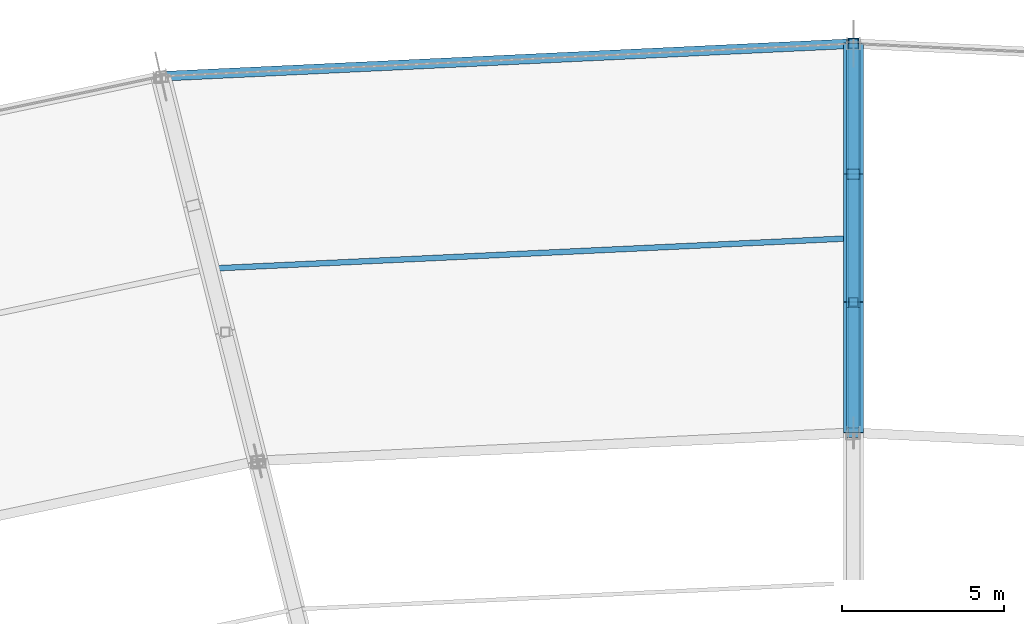
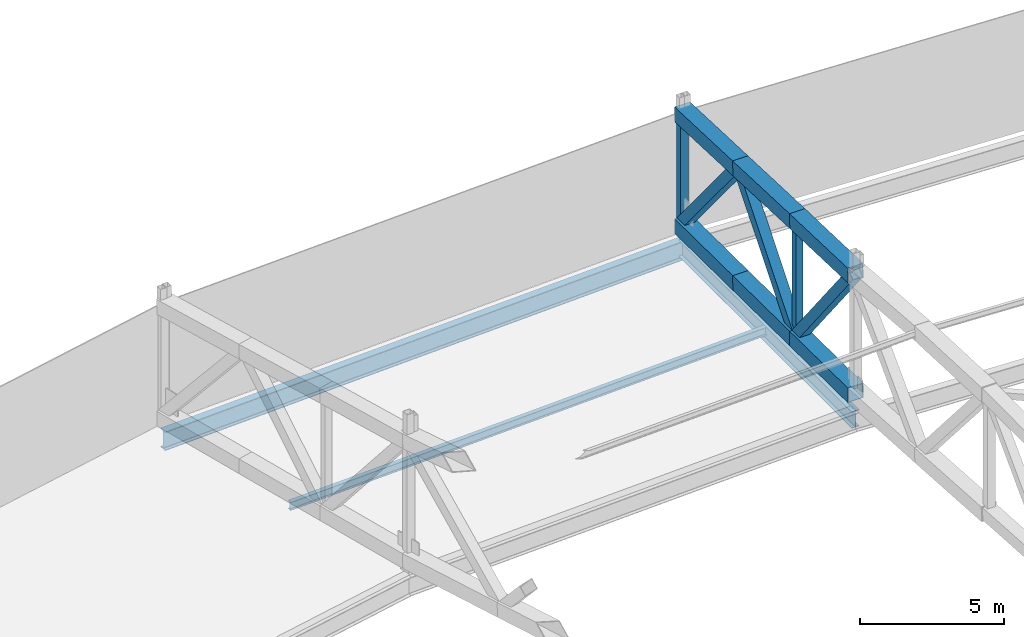
# One storey, part 82 of 162: 11 members, 3 beams.
"""IFC4 building model written with IfcOpenShell, lengths in metres."""

from ifc_helpers import new_model, si_unit, direction, frame, origin, origin_2d, place, context, subcontext, project, spatial, hollow_rectangle, i_section, extrude, material, material_profile, profile_set, type_object, element, save


model = new_model("IFC4")

# Units and contexts
model_context = context("Model", 3, precision=1e-05, world=origin(), true_north=direction((0.0, 1.0)))
body_context = subcontext(model_context, "Body", "Model", "MODEL_VIEW")
ifc_project = project(units=[si_unit("LENGTHUNIT", "METRE"), si_unit("AREAUNIT", "SQUARE_METRE"), si_unit("VOLUMEUNIT", "CUBIC_METRE"), si_unit("PLANEANGLEUNIT", "RADIAN"), si_unit("MASSUNIT", "GRAM", prefix="KILO")], contexts=[model_context])

# Site, building, storey
site_placement = place(None, origin())
site = spatial("IfcSite", under=ifc_project, at=site_placement, CompositionType="ELEMENT")
building_placement = place(site_placement, origin())
building = spatial("IfcBuilding", under=site, at=building_placement, Name="Kazemori Nagisa Stadium", CompositionType="ELEMENT")
storey_placement = place(building_placement, frame((0.0, 0.0, 36.719970703125)))
storey = spatial("IfcBuildingStorey", under=building, at=storey_placement, Name="RF", CompositionType="ELEMENT", Elevation=36.719970703125)

# Beams
ifc_material_1 = material(Name="Steel SN490B", Category="steel")
ifc_material_profile_1 = material_profile(ifc_material_1, i_section(OverallWidth=0.300048828125, OverallDepth=0.699951171875, WebThickness=0.012939453125, FlangeThickness=0.02392578125, FilletRadius=0.01806640625, at=origin_2d()), Name="H-700x300x13x24")
ifc_profile_set_1 = profile_set([ifc_material_profile_1], Name="Steel SN490B")
beam_type_1 = type_object("IfcBeamType", Name="Beam_BG-H700", PredefinedType="BEAM", material=ifc_profile_set_1)
beam_1_placement = place(storey_placement, frame((123.0, 175.9599609375, -0.6298828125), z_axis=(0.0, 1.0, 0.0), x_axis=(-1.0, 0.0, 0.0)))
element("IfcBeam", 1, at=beam_1_placement, inside=storey, type_object=beam_type_1, Name="Radial girder BG-H700 RF R2-R3-08", PredefinedType="BEAM", context=body_context, shape_type="SweptSolid", body=[
    extrude(i_section(OverallWidth=0.300048828125, OverallDepth=0.699951171875, WebThickness=0.012939453125, FlangeThickness=0.02392578125, FilletRadius=0.01806640625, at=origin_2d()), origin(), (0.0, 0.0, 1.0), 12.0400390625),
])
ifc_material_profile_2 = material_profile(ifc_material_1, i_section(OverallWidth=0.300048828125, OverallDepth=0.800048828125, WebThickness=0.013916015625, FlangeThickness=0.02587890625, FilletRadius=0.01806640625, at=origin_2d()), Name="H-800x300x14x26")
ifc_profile_set_2 = profile_set([ifc_material_profile_2], Name="Steel SN490B")
beam_type_2 = type_object("IfcBeamType", Name="Beam_BG-H800", PredefinedType="BEAM", material=ifc_profile_set_2)
beam_2_placement = place(storey_placement, frame((123.0, 188.0, -0.679931640625), z_axis=(-0.998883994571, -0.047230979144, 0.0), x_axis=(0.047230979144, -0.998883994571, 0.0)))
element("IfcBeam", 2, at=beam_2_placement, inside=storey, type_object=beam_type_2, Name="Roof compression ring beam BG-H800 R3-08", PredefinedType="BEAM", context=body_context, shape_type="SweptSolid", body=[
    extrude(i_section(OverallWidth=0.300048828125, OverallDepth=0.800048828125, WebThickness=0.013916015625, FlangeThickness=0.02587890625, FilletRadius=0.01806640625, at=origin_2d()), origin(), (0.0, 0.0, 1.0), 21.45166015625),
])
ifc_material_profile_3 = material_profile(ifc_material_1, i_section(OverallWidth=0.175048828125, OverallDepth=0.35009765625, WebThickness=0.007080078125, FlangeThickness=0.010986328125, FilletRadius=0.012939453125, at=origin_2d()), Name="H-350x175x7x11")
ifc_profile_set_3 = profile_set([ifc_material_profile_3], Name="Steel SN490B")
beam_type_3 = type_object("IfcBeamType", Name="Beam_BJ-H350", PredefinedType="JOIST", material=ifc_profile_set_3)
beam_3_placement = place(storey_placement, frame((122.855224609375, 181.97314453125, -0.455078125), z_axis=(-0.998884234836, -0.047225897525, 0.0), x_axis=(0.047225897525, -0.998884234836, 0.0)))
element("IfcBeam", 3, at=beam_3_placement, inside=storey, type_object=beam_type_3, Name="Outer bay joist BJ-H350 RF B08", PredefinedType="JOIST", context=body_context, shape_type="SweptSolid", body=[
    extrude(i_section(OverallWidth=0.175048828125, OverallDepth=0.35009765625, WebThickness=0.007080078125, FlangeThickness=0.010986328125, FilletRadius=0.012939453125, at=origin_2d()), origin(), (0.0, 0.0, 1.0), 19.66015625),
])

# Members
ifc_material_2 = material(Name="Steel STKR490", Category="steel")
ifc_material_profile_4 = material_profile(ifc_material_2, hollow_rectangle(XDim=0.419921875, YDim=0.419921875, WallThickness=0.01611328125, at=origin_2d()), Name="SHS-420x420x16")
ifc_profile_set_4 = profile_set([ifc_material_profile_4], Name="Steel STKR490")
member_type_1 = type_object("IfcMemberType", Name="Member_TB-SHS420", PredefinedType="BRACE", material=ifc_profile_set_4)
member_1_placement = place(storey_placement, frame((123.0, 188.0, 0.360107421875), z_axis=(0.0, -0.636342931548, 0.771406295975), x_axis=(1.0, 0.0, 0.0)))
element("IfcMember", 4, at=member_1_placement, inside=storey, type_object=member_type_1, Name="Roof space truss diagonal RT-08-1", PredefinedType="BRACE", context=body_context, shape_type="SweptSolid", body=[
    extrude(hollow_rectangle(XDim=0.419921875, YDim=0.419921875, WallThickness=0.01611328125, at=origin_2d()), origin(), (0.0, 0.0, 1.0), 6.351806640625),
])
member_2_placement = place(storey_placement, frame((123.0, 183.9580078125, 5.260009765625), z_axis=(0.0, -0.634424601348, -0.772984750952), x_axis=(1.0, 0.0, 0.0)))
element("IfcMember", 5, at=member_2_placement, inside=storey, type_object=member_type_1, Name="Roof space truss diagonal RT-08-2", PredefinedType="BRACE", context=body_context, shape_type="SweptSolid", body=[
    extrude(hollow_rectangle(XDim=0.419921875, YDim=0.419921875, WallThickness=0.01611328125, at=origin_2d()), origin(), (0.0, 0.0, 1.0), 6.235595703125),
])
member_3_placement = place(storey_placement, frame((123.0, 180.001953125, 0.43994140625), z_axis=(0.0, -0.619624872853, 0.784898093348), x_axis=(1.0, 0.0, 0.0)))
element("IfcMember", 6, at=member_3_placement, inside=storey, type_object=member_type_1, Name="Roof space truss diagonal RT-08-3", PredefinedType="BRACE", context=body_context, shape_type="SweptSolid", body=[
    extrude(hollow_rectangle(XDim=0.419921875, YDim=0.419921875, WallThickness=0.01611328125, at=origin_2d()), origin(), (0.0, 0.0, 1.0), 6.523193359375),
])
ifc_material_profile_5 = material_profile(ifc_material_2, hollow_rectangle(XDim=0.6201171875, YDim=0.6201171875, WallThickness=0.02197265625, at=origin_2d()), Name="SHS-620x620x22")
ifc_profile_set_5 = profile_set([ifc_material_profile_5], Name="Steel STKR490")
member_type_2 = type_object("IfcMemberType", Name="Member_TC-SHS620", PredefinedType="CHORD", material=ifc_profile_set_5)
member_4_placement = place(storey_placement, frame((123.0, 188.0, 5.10009765625), z_axis=(0.0, -0.999218314036, 0.039531770699), x_axis=(1.0, 0.0, 0.0)))
element("IfcMember", 7, at=member_4_placement, inside=storey, type_object=member_type_2, Name="Roof space truss top chord RT-08-1", PredefinedType="CHORD", context=body_context, shape_type="SweptSolid", body=[
    extrude(hollow_rectangle(XDim=0.6201171875, YDim=0.6201171875, WallThickness=0.02197265625, at=origin_2d()), origin(), (0.0, 0.0, 1.0), 4.045166015625),
])
member_5_placement = place(storey_placement, frame((123.0, 188.0, 0.360107421875), z_axis=(0.0, -0.999950941428, 0.009905288378), x_axis=(1.0, 0.0, 0.0)))
element("IfcMember", 8, at=member_5_placement, inside=storey, type_object=member_type_2, Name="Roof space truss bottom chord RT-08-1", PredefinedType="CHORD", context=body_context, shape_type="SweptSolid", body=[
    extrude(hollow_rectangle(XDim=0.6201171875, YDim=0.6201171875, WallThickness=0.02197265625, at=origin_2d()), origin(), (0.0, 0.0, 1.0), 4.042236328125),
])
member_6_placement = place(storey_placement, frame((123.0, 183.9580078125, 5.260009765625), z_axis=(0.0, -0.999184025996, 0.040389134598), x_axis=(1.0, 0.0, 0.0)))
element("IfcMember", 9, at=member_6_placement, inside=storey, type_object=member_type_2, Name="Roof space truss top chord RT-08-2", PredefinedType="CHORD", context=body_context, shape_type="SweptSolid", body=[
    extrude(hollow_rectangle(XDim=0.6201171875, YDim=0.6201171875, WallThickness=0.02197265625, at=origin_2d()), origin(), (0.0, 0.0, 1.0), 3.959228515625),
])
member_7_placement = place(storey_placement, frame((123.0, 183.9580078125, 0.400146484375), z_axis=(0.0, -0.999949409638, 0.01005873573), x_axis=(1.0, 0.0, 0.0)))
element("IfcMember", 10, at=member_7_placement, inside=storey, type_object=member_type_2, Name="Roof space truss bottom chord RT-08-2", PredefinedType="CHORD", context=body_context, shape_type="SweptSolid", body=[
    extrude(hollow_rectangle(XDim=0.6201171875, YDim=0.6201171875, WallThickness=0.02197265625, at=origin_2d()), origin(), (0.0, 0.0, 1.0), 3.956298828125),
])
member_8_placement = place(storey_placement, frame((123.0, 180.001953125, 5.419921875), z_axis=(0.0, -0.999399529543, 0.034649391759), x_axis=(1.0, 0.0, 0.0)))
element("IfcMember", 11, at=member_8_placement, inside=storey, type_object=member_type_2, Name="Roof space truss top chord RT-08-3", PredefinedType="CHORD", context=body_context, shape_type="SweptSolid", body=[
    extrude(hollow_rectangle(XDim=0.6201171875, YDim=0.6201171875, WallThickness=0.02197265625, at=origin_2d()), origin(), (0.0, 0.0, 1.0), 4.04443359375),
])
member_9_placement = place(storey_placement, frame((123.0, 180.001953125, 0.43994140625), z_axis=(0.0, -0.999950941428, 0.009905288378), x_axis=(1.0, 0.0, 0.0)))
element("IfcMember", 12, at=member_9_placement, inside=storey, type_object=member_type_2, Name="Roof space truss bottom chord RT-08-3", PredefinedType="CHORD", context=body_context, shape_type="SweptSolid", body=[
    extrude(hollow_rectangle(XDim=0.6201171875, YDim=0.6201171875, WallThickness=0.02197265625, at=origin_2d()), origin(), (0.0, 0.0, 1.0), 4.042236328125),
])
ifc_material_profile_6 = material_profile(ifc_material_2, hollow_rectangle(XDim=0.280029296875, YDim=0.280029296875, WallThickness=0.010009765625, at=origin_2d()), Name="SHS-280x280x10")
ifc_profile_set_6 = profile_set([ifc_material_profile_6], Name="Steel STKR490")
member_type_3 = type_object("IfcMemberType", Name="Member_TS-SHS280", PredefinedType="STRUT", material=ifc_profile_set_6)
member_10_placement = place(storey_placement, frame((123.0, 180.001953125, 0.43994140625), z_axis=(0.0, 0.0, 1.0), x_axis=(1.0, 0.0, 0.0)))
element("IfcMember", 13, at=member_10_placement, inside=storey, type_object=member_type_3, Name="Roof space truss strut RT-08-3", PredefinedType="STRUT", context=body_context, shape_type="SweptSolid", body=[
    extrude(hollow_rectangle(XDim=0.280029296875, YDim=0.280029296875, WallThickness=0.010009765625, at=origin_2d()), origin(), (0.0, 0.0, 1.0), 4.97998046875),
])
ifc_material_profile_7 = material_profile(ifc_material_2, hollow_rectangle(XDim=0.320068359375, YDim=0.320068359375, WallThickness=0.011962890625, at=origin_2d()), Name="SHS-320x320x12")
ifc_profile_set_7 = profile_set([ifc_material_profile_7], Name="Steel STKR490")
member_type_4 = type_object("IfcMemberType", Name="Member_TS-SHS320", PredefinedType="STRUT", material=ifc_profile_set_7)
member_11_placement = place(storey_placement, frame((123.0, 188.0, 0.360107421875), z_axis=(0.0, 0.0, 1.0), x_axis=(1.0, 0.0, 0.0)))
element("IfcMember", 14, at=member_11_placement, inside=storey, type_object=member_type_4, Name="Roof space truss strut RT-08-1", PredefinedType="STRUT", context=body_context, shape_type="SweptSolid", body=[
    extrude(hollow_rectangle(XDim=0.320068359375, YDim=0.320068359375, WallThickness=0.011962890625, at=origin_2d()), origin(), (0.0, 0.0, 1.0), 4.739990234375),
])

save(model, "model.ifc")
